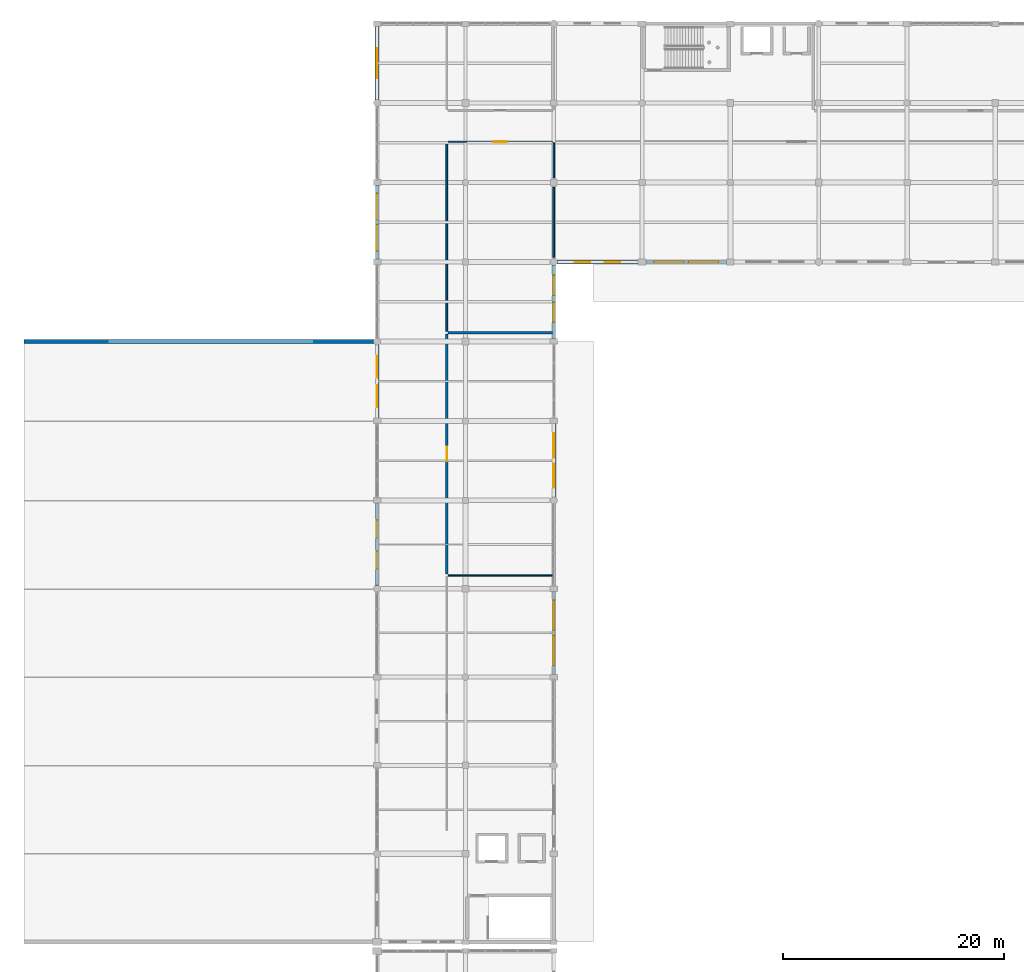
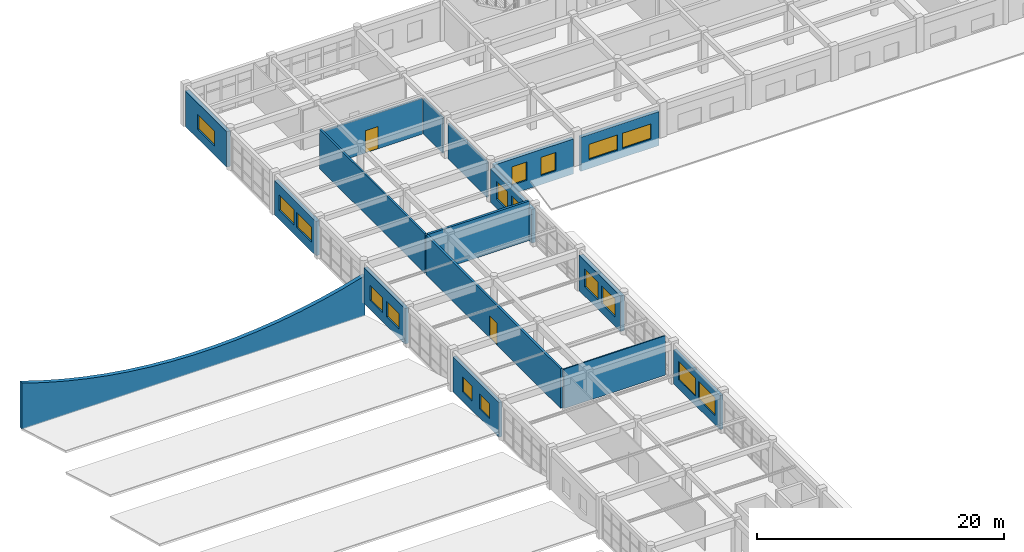
# One storey, part 106 of 121: 17 walls, 17 windows, 2 doors, 19 openings.
"""IFC4 building model written with IfcOpenShell, lengths in metres."""

from ifc_helpers import new_model, si_unit, direction, frame, frame_2d, origin, place, context, subcontext, project, spatial, polyline, rectangle, outline, extrude, material, layer, layer_set, type_object, element, fill, save


model = new_model("IFC4")

# Units and contexts
model_context = context("Model", 3, precision=1e-05, world=origin(), true_north=direction((0.0, 1.0)))
body_context = subcontext(model_context, "Body", "Model", "MODEL_VIEW")
ifc_project = project(units=[si_unit("LENGTHUNIT", "METRE"), si_unit("AREAUNIT", "SQUARE_METRE"), si_unit("VOLUMEUNIT", "CUBIC_METRE"), si_unit("PLANEANGLEUNIT", "RADIAN"), si_unit("MASSUNIT", "GRAM", prefix="KILO")], contexts=[model_context])

# Site, building, storey
site_placement = place(None, origin())
site = spatial("IfcSite", under=ifc_project, at=site_placement, CompositionType="ELEMENT")
building_placement = place(site_placement, origin())
building = spatial("IfcBuilding", under=site, at=building_placement, Name="Kharva Crest Polytechnic", CompositionType="ELEMENT")
storey_placement = place(building_placement, frame((0.0, 0.0, 13.199951171875)))
storey = spatial("IfcBuildingStorey", under=building, at=storey_placement, Name="L03", CompositionType="ELEMENT", Elevation=13.199951171875)

# Wall, openings, windows
ifc_material_1 = material(Name="Kiln brick masonry", Category="masonry")
ifc_layer_1 = layer(ifc_material_1, 0.260009765625, Name="Kiln brick masonry")
ifc_layer_set_1 = layer_set([ifc_layer_1], Name="Kiln brick masonry")
wall_type_1 = type_object("IfcWallType", Name="WL-EXT-BRK-260", PredefinedType="SOLIDWALL", material=ifc_layer_set_1)
wall_1_placement = place(storey_placement, frame((48.0, 63.044921875, 0.0), z_axis=(0.0, 0.0, 1.0), x_axis=(0.0, 1.0, 0.0)))
wall_1 = element("IfcWall", 1, at=wall_1_placement, inside=storey, type_object=wall_type_1, Name="L03 Exterior Brick Wall 365", PredefinedType="SOLIDWALL", context=body_context, shape_type="SweptSolid", body=[
    extrude(rectangle(XDim=7.510009765625, YDim=0.260009765625, at=frame_2d((3.7548828125, 0.0))), origin(), (0.0, 0.0, 1.0), 3.380126953125),
])
opening_1_placement = place(wall_1_placement, frame((0.81005859375, 0.0, 0.89990234375)))
opening_1 = element("IfcOpeningElement", 2, at=opening_1_placement, cuts=wall_1, Name="Opening W01", PredefinedType="OPENING", context=body_context, shape_type="SweptSolid", body=[
    extrude(rectangle(XDim=2.699951171875, YDim=1.800048828125, at=frame_2d((1.35009765625, 0.89990234375))), frame((0.0, 0.139892578125, 0.0), z_axis=(0.0, -1.0, 0.0), x_axis=(1.0, 0.0, 0.0)), (0.0, 0.0, 1.0), 0.280029296875),
])
opening_2_placement = place(wall_1_placement, frame((4.0, 0.0, 0.89990234375)))
opening_2 = element("IfcOpeningElement", 3, at=opening_2_placement, cuts=wall_1, Name="Opening W01", PredefinedType="OPENING", context=body_context, shape_type="SweptSolid", body=[
    extrude(rectangle(XDim=2.699951171875, YDim=1.800048828125, at=frame_2d((1.35009765625, 0.89990234375))), frame((0.0, 0.139892578125, 0.0), z_axis=(0.0, -1.0, 0.0), x_axis=(1.0, 0.0, 0.0)), (0.0, 0.0, 1.0), 0.280029296875),
])
ifc_material_2 = material(Name="Anodised aluminium", Category="aluminium")
window_type_1 = type_object("IfcWindowType", Name="WIN-ALU-2700X1800", PartitioningType="SINGLE_PANEL", PredefinedType="WINDOW", material=ifc_material_2)
window_1_placement = place(opening_1_placement, origin())
window_1 = element("IfcWindow", 4, at=window_1_placement, inside=storey, type_object=window_type_1, Name="L03 Exterior Window 501", OverallHeight=1.800048828125, OverallWidth=2.699951171875, PartitioningType="SINGLE_PANEL", PredefinedType="WINDOW", context=body_context, shape_type="SweptSolid", body=[
    extrude(rectangle(XDim=2.699951171875, YDim=1.800048828125, at=frame_2d((1.35009765625, 0.89990234375))), frame((0.0, 0.030029296875, 0.0), z_axis=(0.0, -1.0, 0.0), x_axis=(1.0, 0.0, 0.0)), (0.0, 0.0, 1.0), 0.06005859375),
])
fill(opening_1, window_1)
window_2_placement = place(opening_2_placement, origin())
window_2 = element("IfcWindow", 5, at=window_2_placement, inside=storey, type_object=window_type_1, Name="L03 Exterior Window 502", OverallHeight=1.800048828125, OverallWidth=2.699951171875, PartitioningType="SINGLE_PANEL", PredefinedType="WINDOW", context=body_context, shape_type="SweptSolid", body=[
    extrude(rectangle(XDim=2.699951171875, YDim=1.800048828125, at=frame_2d((1.35009765625, 0.89990234375))), frame((0.0, 0.030029296875, 0.0), z_axis=(0.0, -1.0, 0.0), x_axis=(1.0, 0.0, 0.0)), (0.0, 0.0, 1.0), 0.06005859375),
])
fill(opening_2, window_2)

ifc_layer_2 = layer(ifc_material_1, 0.27490234375, Name="Kiln brick masonry")
ifc_layer_set_2 = layer_set([ifc_layer_2], Name="Kiln brick masonry")
wall_type_2 = type_object("IfcWallType", Name="WL-EXT-BRK-275", PredefinedType="SOLIDWALL", material=ifc_layer_set_2)
wall_2_placement = place(storey_placement, frame((32.0, 78.554931640625, 0.0), z_axis=(0.0, 0.0, 1.0), x_axis=(0.0, -1.0, 0.0)))
wall_2 = element("IfcWall", 6, at=wall_2_placement, inside=storey, type_object=wall_type_2, Name="L03 Exterior Brick Wall 358", PredefinedType="SOLIDWALL", context=body_context, shape_type="SweptSolid", body=[
    extrude(rectangle(XDim=7.486083984375, YDim=0.27490234375, at=frame_2d((3.7431640625, 0.0))), origin(), (0.0, 0.0, 1.0), 3.43994140625),
])
opening_3_placement = place(wall_2_placement, frame((1.534912109375, 0.0, 0.89990234375)))
opening_3 = element("IfcOpeningElement", 7, at=opening_3_placement, cuts=wall_2, Name="Opening W14", PredefinedType="OPENING", context=body_context, shape_type="SweptSolid", body=[
    extrude(rectangle(XDim=1.60009765625, YDim=1.5, at=frame_2d((0.800048828125, 0.75))), frame((0.0, 0.1474609375, 0.0), z_axis=(0.0, -1.0, 0.0), x_axis=(1.0, 0.0, 0.0)), (0.0, 0.0, 1.0), 0.294921875),
])
opening_4_placement = place(wall_2_placement, frame((4.35107421875, 0.0, 0.89990234375)))
opening_4 = element("IfcOpeningElement", 8, at=opening_4_placement, cuts=wall_2, Name="Opening W14", PredefinedType="OPENING", context=body_context, shape_type="SweptSolid", body=[
    extrude(rectangle(XDim=1.60009765625, YDim=1.5, at=frame_2d((0.800048828125, 0.75))), frame((0.0, 0.1474609375, 0.0), z_axis=(0.0, -1.0, 0.0), x_axis=(1.0, 0.0, 0.0)), (0.0, 0.0, 1.0), 0.294921875),
])
window_type_2 = type_object("IfcWindowType", Name="WIN-ALU-1600X1500", PartitioningType="SINGLE_PANEL", PredefinedType="WINDOW", material=ifc_material_2)
window_3_placement = place(opening_3_placement, origin())
window_3 = element("IfcWindow", 9, at=window_3_placement, inside=storey, type_object=window_type_2, Name="L03 Exterior Window 490", OverallHeight=1.5, OverallWidth=1.60009765625, PartitioningType="SINGLE_PANEL", PredefinedType="WINDOW", context=body_context, shape_type="SweptSolid", body=[
    extrude(rectangle(XDim=1.60009765625, YDim=1.5, at=frame_2d((0.800048828125, 0.75))), frame((0.0, 0.030029296875, 0.0), z_axis=(0.0, -1.0, 0.0), x_axis=(1.0, 0.0, 0.0)), (0.0, 0.0, 1.0), 0.06005859375),
])
fill(opening_3, window_3)
window_4_placement = place(opening_4_placement, origin())
window_4 = element("IfcWindow", 10, at=window_4_placement, inside=storey, type_object=window_type_2, Name="L03 Exterior Window 491", OverallHeight=1.5, OverallWidth=1.60009765625, PartitioningType="SINGLE_PANEL", PredefinedType="WINDOW", context=body_context, shape_type="SweptSolid", body=[
    extrude(rectangle(XDim=1.60009765625, YDim=1.5, at=frame_2d((0.800048828125, 0.75))), frame((0.0, 0.030029296875, 0.0), z_axis=(0.0, -1.0, 0.0), x_axis=(1.0, 0.0, 0.0)), (0.0, 0.0, 1.0), 0.06005859375),
])
fill(opening_4, window_4)

ifc_layer_3 = layer(ifc_material_1, 0.304931640625, Name="Kiln brick masonry")
ifc_layer_set_3 = layer_set([ifc_layer_3], Name="Kiln brick masonry")
wall_type_3 = type_object("IfcWallType", Name="WL-EXT-BRK-305", PredefinedType="SOLIDWALL", material=ifc_layer_set_3)
wall_3_placement = place(storey_placement, frame((32.0, 92.93115234375, 0.0), z_axis=(0.0, 0.0, 1.0), x_axis=(0.0, -1.0, 0.0)))
wall_3 = element("IfcWall", 11, at=wall_3_placement, inside=storey, type_object=wall_type_3, Name="L03 Exterior Brick Wall 357", PredefinedType="SOLIDWALL", context=body_context, shape_type="SweptSolid", body=[
    extrude(rectangle(XDim=6.68603515625, YDim=0.304931640625, at=frame_2d((3.343017578125, 0.0))), origin(), (0.0, 0.0, 1.0), 3.52001953125),
])
opening_5_placement = place(wall_3_placement, frame((1.001953125, 0.0, 0.89990234375)))
opening_5 = element("IfcOpeningElement", 12, at=opening_5_placement, cuts=wall_3, Name="Opening W12", PredefinedType="OPENING", context=body_context, shape_type="SweptSolid", body=[
    extrude(rectangle(XDim=2.0, YDim=1.5, at=frame_2d((1.0, 0.75))), frame((0.0, 0.162353515625, 0.0), z_axis=(0.0, -1.0, 0.0), x_axis=(1.0, 0.0, 0.0)), (0.0, 0.0, 1.0), 0.324951171875),
])
opening_6_placement = place(wall_3_placement, frame((3.68408203125, 0.0, 0.89990234375)))
opening_6 = element("IfcOpeningElement", 13, at=opening_6_placement, cuts=wall_3, Name="Opening W12", PredefinedType="OPENING", context=body_context, shape_type="SweptSolid", body=[
    extrude(rectangle(XDim=2.0, YDim=1.5, at=frame_2d((1.0, 0.75))), frame((0.0, 0.162353515625, 0.0), z_axis=(0.0, -1.0, 0.0), x_axis=(1.0, 0.0, 0.0)), (0.0, 0.0, 1.0), 0.324951171875),
])
window_type_3 = type_object("IfcWindowType", Name="WIN-ALU-2000X1500", PartitioningType="SINGLE_PANEL", PredefinedType="WINDOW", material=ifc_material_2)
window_5_placement = place(opening_5_placement, origin())
window_5 = element("IfcWindow", 14, at=window_5_placement, inside=storey, type_object=window_type_3, Name="L03 Exterior Window 488", OverallHeight=1.5, OverallWidth=2.0, PartitioningType="SINGLE_PANEL", PredefinedType="WINDOW", context=body_context, shape_type="SweptSolid", body=[
    extrude(rectangle(XDim=2.0, YDim=1.5, at=frame_2d((1.0, 0.75))), frame((0.0, 0.030029296875, 0.0), z_axis=(0.0, -1.0, 0.0), x_axis=(1.0, 0.0, 0.0)), (0.0, 0.0, 1.0), 0.06005859375),
])
fill(opening_5, window_5)
window_6_placement = place(opening_6_placement, origin())
window_6 = element("IfcWindow", 15, at=window_6_placement, inside=storey, type_object=window_type_3, Name="L03 Exterior Window 489", OverallHeight=1.5, OverallWidth=2.0, PartitioningType="SINGLE_PANEL", PredefinedType="WINDOW", context=body_context, shape_type="SweptSolid", body=[
    extrude(rectangle(XDim=2.0, YDim=1.5, at=frame_2d((1.0, 0.75))), frame((0.0, 0.030029296875, 0.0), z_axis=(0.0, -1.0, 0.0), x_axis=(1.0, 0.0, 0.0)), (0.0, 0.0, 1.0), 0.06005859375),
])
fill(opening_6, window_6)

wall_4_placement = place(storey_placement, frame((56.344970703125, 100.39990234375, 0.0), z_axis=(0.0, 0.0, 1.0), x_axis=(1.0, 0.0, 0.0)))
wall_4 = element("IfcWall", 16, at=wall_4_placement, inside=storey, type_object=wall_type_3, Name="L03 Exterior Brick Wall 369", PredefinedType="SOLIDWALL", context=body_context, shape_type="SweptSolid", body=[
    extrude(rectangle(XDim=7.320068359375, YDim=0.304931640625, at=frame_2d((3.66015625, 0.0))), origin(), (0.0, 0.0, 1.0), 3.360107421875),
])
opening_7_placement = place(wall_4_placement, frame((0.7470703125, 0.0, 0.89990234375)))
opening_7 = element("IfcOpeningElement", 17, at=opening_7_placement, cuts=wall_4, Name="Opening W09", PredefinedType="OPENING", context=body_context, shape_type="SweptSolid", body=[
    extrude(rectangle(XDim=2.699951171875, YDim=1.5, at=frame_2d((1.35009765625, 0.75))), frame((0.0, 0.162353515625, 0.0), z_axis=(0.0, -1.0, 0.0), x_axis=(1.0, 0.0, 0.0)), (0.0, 0.0, 1.0), 0.324951171875),
])
opening_8_placement = place(wall_4_placement, frame((3.873046875, 0.0, 0.89990234375)))
opening_8 = element("IfcOpeningElement", 18, at=opening_8_placement, cuts=wall_4, Name="Opening W09", PredefinedType="OPENING", context=body_context, shape_type="SweptSolid", body=[
    extrude(rectangle(XDim=2.699951171875, YDim=1.5, at=frame_2d((1.35009765625, 0.75))), frame((0.0, 0.162353515625, 0.0), z_axis=(0.0, -1.0, 0.0), x_axis=(1.0, 0.0, 0.0)), (0.0, 0.0, 1.0), 0.324951171875),
])
window_type_4 = type_object("IfcWindowType", Name="WIN-ALU-2700X1500", PartitioningType="SINGLE_PANEL", PredefinedType="WINDOW", material=ifc_material_2)
window_7_placement = place(opening_7_placement, origin())
window_7 = element("IfcWindow", 19, at=window_7_placement, inside=storey, type_object=window_type_4, Name="L03 Exterior Window 509", OverallHeight=1.5, OverallWidth=2.699951171875, PartitioningType="SINGLE_PANEL", PredefinedType="WINDOW", context=body_context, shape_type="SweptSolid", body=[
    extrude(rectangle(XDim=2.699951171875, YDim=1.5, at=frame_2d((1.35009765625, 0.75))), frame((0.0, 0.030029296875, 0.0), z_axis=(0.0, -1.0, 0.0), x_axis=(1.0, 0.0, 0.0)), (0.0, 0.0, 1.0), 0.06005859375),
])
fill(opening_7, window_7)
window_8_placement = place(opening_8_placement, origin())
window_8 = element("IfcWindow", 20, at=window_8_placement, inside=storey, type_object=window_type_4, Name="L03 Exterior Window 510", OverallHeight=1.5, OverallWidth=2.699951171875, PartitioningType="SINGLE_PANEL", PredefinedType="WINDOW", context=body_context, shape_type="SweptSolid", body=[
    extrude(rectangle(XDim=2.699951171875, YDim=1.5, at=frame_2d((1.35009765625, 0.75))), frame((0.0, 0.030029296875, 0.0), z_axis=(0.0, -1.0, 0.0), x_axis=(1.0, 0.0, 0.0)), (0.0, 0.0, 1.0), 0.06005859375),
])
fill(opening_8, window_8)

ifc_layer_4 = layer(ifc_material_1, 0.320068359375, Name="Kiln brick masonry")
ifc_layer_set_4 = layer_set([ifc_layer_4], Name="Kiln brick masonry")
wall_type_4 = type_object("IfcWallType", Name="WL-EXT-BRK-320", PredefinedType="SOLIDWALL", material=ifc_layer_set_4)
wall_5_placement = place(storey_placement, frame((48.268798828125, 100.39990234375, 0.0), z_axis=(0.0, 0.0, 1.0), x_axis=(1.0, 0.0, 0.0)))
wall_5 = element("IfcWall", 21, at=wall_5_placement, inside=storey, type_object=wall_type_4, Name="L03 Exterior Brick Wall 368", PredefinedType="SOLIDWALL", context=body_context, shape_type="SweptSolid", body=[
    extrude(rectangle(XDim=7.38623046875, YDim=0.320068359375, at=frame_2d((3.693115234375, 0.0))), origin(), (0.0, 0.0, 1.0), 3.4599609375),
])
opening_9_placement = place(wall_5_placement, frame((1.635009765625, 0.0, 0.89990234375)))
opening_9 = element("IfcOpeningElement", 22, at=opening_9_placement, cuts=wall_5, Name="Opening W07", PredefinedType="OPENING", context=body_context, shape_type="SweptSolid", body=[
    extrude(rectangle(XDim=1.39990234375, YDim=1.800048828125, at=frame_2d((0.699951171875, 0.89990234375))), frame((0.0, 0.169921875, 0.0), z_axis=(0.0, -1.0, 0.0), x_axis=(1.0, 0.0, 0.0)), (0.0, 0.0, 1.0), 0.340087890625),
])
opening_10_placement = place(wall_5_placement, frame((4.35107421875, 0.0, 0.89990234375)))
opening_10 = element("IfcOpeningElement", 23, at=opening_10_placement, cuts=wall_5, Name="Opening W07", PredefinedType="OPENING", context=body_context, shape_type="SweptSolid", body=[
    extrude(rectangle(XDim=1.39990234375, YDim=1.800048828125, at=frame_2d((0.699951171875, 0.89990234375))), frame((0.0, 0.169921875, 0.0), z_axis=(0.0, -1.0, 0.0), x_axis=(1.0, 0.0, 0.0)), (0.0, 0.0, 1.0), 0.340087890625),
])
window_type_5 = type_object("IfcWindowType", Name="WIN-ALU-1400X1800", PartitioningType="SINGLE_PANEL", PredefinedType="WINDOW", material=ifc_material_2)
window_9_placement = place(opening_9_placement, origin())
window_9 = element("IfcWindow", 24, at=window_9_placement, inside=storey, type_object=window_type_5, Name="L03 Exterior Window 507", OverallHeight=1.800048828125, OverallWidth=1.39990234375, PartitioningType="SINGLE_PANEL", PredefinedType="WINDOW", context=body_context, shape_type="SweptSolid", body=[
    extrude(rectangle(XDim=1.39990234375, YDim=1.800048828125, at=frame_2d((0.699951171875, 0.89990234375))), frame((0.0, 0.030029296875, 0.0), z_axis=(0.0, -1.0, 0.0), x_axis=(1.0, 0.0, 0.0)), (0.0, 0.0, 1.0), 0.06005859375),
])
fill(opening_9, window_9)
window_10_placement = place(opening_10_placement, origin())
window_10 = element("IfcWindow", 25, at=window_10_placement, inside=storey, type_object=window_type_5, Name="L03 Exterior Window 508", OverallHeight=1.800048828125, OverallWidth=1.39990234375, PartitioningType="SINGLE_PANEL", PredefinedType="WINDOW", context=body_context, shape_type="SweptSolid", body=[
    extrude(rectangle(XDim=1.39990234375, YDim=1.800048828125, at=frame_2d((0.699951171875, 0.89990234375))), frame((0.0, 0.030029296875, 0.0), z_axis=(0.0, -1.0, 0.0), x_axis=(1.0, 0.0, 0.0)), (0.0, 0.0, 1.0), 0.06005859375),
])
fill(opening_10, window_10)

ifc_layer_5 = layer(ifc_material_1, 0.3349609375, Name="Kiln brick masonry")
ifc_layer_set_5 = layer_set([ifc_layer_5], Name="Kiln brick masonry")
wall_type_5 = type_object("IfcWallType", Name="WL-EXT-BRK-335", PredefinedType="SOLIDWALL", material=ifc_layer_set_5)
wall_6_placement = place(storey_placement, frame((32.0, 107.35498046875, 0.0), z_axis=(0.0, 0.0, 1.0), x_axis=(0.0, -1.0, 0.0)))
wall_6 = element("IfcWall", 26, at=wall_6_placement, inside=storey, type_object=wall_type_5, Name="L03 Exterior Brick Wall 356", PredefinedType="SOLIDWALL", context=body_context, shape_type="SweptSolid", body=[
    extrude(rectangle(XDim=6.7099609375, YDim=0.3349609375, at=frame_2d((3.35498046875, 0.0))), origin(), (0.0, 0.0, 1.0), 3.380126953125),
])
opening_11_placement = place(wall_6_placement, frame((0.742919921875, 0.0, 0.89990234375)))
opening_11 = element("IfcOpeningElement", 27, at=opening_11_placement, cuts=wall_6, Name="Opening W10", PredefinedType="OPENING", context=body_context, shape_type="SweptSolid", body=[
    extrude(rectangle(XDim=2.39990234375, YDim=1.5, at=frame_2d((1.199951171875, 0.75))), frame((0.0, 0.177490234375, 0.0), z_axis=(0.0, -1.0, 0.0), x_axis=(1.0, 0.0, 0.0)), (0.0, 0.0, 1.0), 0.35498046875),
])
opening_12_placement = place(wall_6_placement, frame((3.56689453125, 0.0, 0.89990234375)))
opening_12 = element("IfcOpeningElement", 28, at=opening_12_placement, cuts=wall_6, Name="Opening W10", PredefinedType="OPENING", context=body_context, shape_type="SweptSolid", body=[
    extrude(rectangle(XDim=2.39990234375, YDim=1.5, at=frame_2d((1.199951171875, 0.75))), frame((0.0, 0.177490234375, 0.0), z_axis=(0.0, -1.0, 0.0), x_axis=(1.0, 0.0, 0.0)), (0.0, 0.0, 1.0), 0.35498046875),
])
window_type_6 = type_object("IfcWindowType", Name="WIN-ALU-2400X1500", PartitioningType="SINGLE_PANEL", PredefinedType="WINDOW", material=ifc_material_2)
window_11_placement = place(opening_11_placement, origin())
window_11 = element("IfcWindow", 29, at=window_11_placement, inside=storey, type_object=window_type_6, Name="L03 Exterior Window 486", OverallHeight=1.5, OverallWidth=2.39990234375, PartitioningType="SINGLE_PANEL", PredefinedType="WINDOW", context=body_context, shape_type="SweptSolid", body=[
    extrude(rectangle(XDim=2.39990234375, YDim=1.5, at=frame_2d((1.199951171875, 0.75))), frame((0.0, 0.030029296875, 0.0), z_axis=(0.0, -1.0, 0.0), x_axis=(1.0, 0.0, 0.0)), (0.0, 0.0, 1.0), 0.06005859375),
])
fill(opening_11, window_11)
window_12_placement = place(opening_12_placement, origin())
window_12 = element("IfcWindow", 30, at=window_12_placement, inside=storey, type_object=window_type_6, Name="L03 Exterior Window 487", OverallHeight=1.5, OverallWidth=2.39990234375, PartitioningType="SINGLE_PANEL", PredefinedType="WINDOW", context=body_context, shape_type="SweptSolid", body=[
    extrude(rectangle(XDim=2.39990234375, YDim=1.5, at=frame_2d((1.199951171875, 0.75))), frame((0.0, 0.030029296875, 0.0), z_axis=(0.0, -1.0, 0.0), x_axis=(1.0, 0.0, 0.0)), (0.0, 0.0, 1.0), 0.06005859375),
])
fill(opening_12, window_12)

wall_7_placement = place(storey_placement, frame((48.0, 93.445068359375, 0.0), z_axis=(0.0, 0.0, 1.0), x_axis=(0.0, 1.0, 0.0)))
wall_7 = element("IfcWall", 31, at=wall_7_placement, inside=storey, type_object=wall_type_5, Name="L03 Exterior Brick Wall 367", PredefinedType="SOLIDWALL", context=body_context, shape_type="SweptSolid", body=[
    extrude(rectangle(XDim=6.68603515625, YDim=0.3349609375, at=frame_2d((3.343017578125, 0.0))), origin(), (0.0, 0.0, 1.0), 3.340087890625),
])
opening_13_placement = place(wall_7_placement, frame((1.5048828125, 0.0, 0.89990234375)))
opening_13 = element("IfcOpeningElement", 32, at=opening_13_placement, cuts=wall_7, Name="Opening W05", PredefinedType="OPENING", context=body_context, shape_type="SweptSolid", body=[
    extrude(rectangle(XDim=1.800048828125, YDim=1.800048828125, at=frame_2d((0.89990234375, 0.89990234375))), frame((0.0, 0.177490234375, 0.0), z_axis=(0.0, -1.0, 0.0), x_axis=(1.0, 0.0, 0.0)), (0.0, 0.0, 1.0), 0.35498046875),
])
opening_14_placement = place(wall_7_placement, frame((3.93603515625, 0.0, 0.89990234375)))
opening_14 = element("IfcOpeningElement", 33, at=opening_14_placement, cuts=wall_7, Name="Opening W05", PredefinedType="OPENING", context=body_context, shape_type="SweptSolid", body=[
    extrude(rectangle(XDim=1.800048828125, YDim=1.800048828125, at=frame_2d((0.89990234375, 0.89990234375))), frame((0.0, 0.177490234375, 0.0), z_axis=(0.0, -1.0, 0.0), x_axis=(1.0, 0.0, 0.0)), (0.0, 0.0, 1.0), 0.35498046875),
])
window_type_7 = type_object("IfcWindowType", Name="WIN-ALU-1800X1800", PartitioningType="SINGLE_PANEL", PredefinedType="WINDOW", material=ifc_material_2)
window_13_placement = place(opening_13_placement, origin())
window_13 = element("IfcWindow", 34, at=window_13_placement, inside=storey, type_object=window_type_7, Name="L03 Exterior Window 505", OverallHeight=1.800048828125, OverallWidth=1.800048828125, PartitioningType="SINGLE_PANEL", PredefinedType="WINDOW", context=body_context, shape_type="SweptSolid", body=[
    extrude(rectangle(XDim=1.800048828125, YDim=1.800048828125, at=frame_2d((0.89990234375, 0.89990234375))), frame((0.0, 0.030029296875, 0.0), z_axis=(0.0, -1.0, 0.0), x_axis=(1.0, 0.0, 0.0)), (0.0, 0.0, 1.0), 0.06005859375),
])
fill(opening_13, window_13)
window_14_placement = place(opening_14_placement, origin())
window_14 = element("IfcWindow", 35, at=window_14_placement, inside=storey, type_object=window_type_7, Name="L03 Exterior Window 506", OverallHeight=1.800048828125, OverallWidth=1.800048828125, PartitioningType="SINGLE_PANEL", PredefinedType="WINDOW", context=body_context, shape_type="SweptSolid", body=[
    extrude(rectangle(XDim=1.800048828125, YDim=1.800048828125, at=frame_2d((0.89990234375, 0.89990234375))), frame((0.0, 0.030029296875, 0.0), z_axis=(0.0, -1.0, 0.0), x_axis=(1.0, 0.0, 0.0)), (0.0, 0.0, 1.0), 0.06005859375),
])
fill(opening_14, window_14)

# Wall, opening, window
ifc_layer_6 = layer(ifc_material_1, 0.364990234375, Name="Kiln brick masonry")
ifc_layer_set_6 = layer_set([ifc_layer_6], Name="Kiln brick masonry")
wall_type_6 = type_object("IfcWallType", Name="WL-EXT-BRK-365", PredefinedType="SOLIDWALL", material=ifc_layer_set_6)
wall_8_placement = place(storey_placement, frame((32.0, 121.7548828125, 0.0), z_axis=(0.0, 0.0, 1.0), x_axis=(0.0, -1.0, 0.0)))
wall_8 = element("IfcWall", 36, at=wall_8_placement, inside=storey, type_object=wall_type_6, Name="L03 Exterior Brick Wall 355", PredefinedType="SOLIDWALL", context=body_context, shape_type="SweptSolid", body=[
    extrude(rectangle(XDim=6.68603515625, YDim=0.364990234375, at=frame_2d((3.343017578125, 0.0))), origin(), (0.0, 0.0, 1.0), 3.5),
])
opening_15_placement = place(wall_8_placement, frame((1.992919921875, 0.0, 0.89990234375)))
opening_15 = element("IfcOpeningElement", 37, at=opening_15_placement, cuts=wall_8, Name="Opening W09", PredefinedType="OPENING", context=body_context, shape_type="SweptSolid", body=[
    extrude(rectangle(XDim=2.699951171875, YDim=1.5, at=frame_2d((1.35009765625, 0.75))), frame((0.0, 0.1923828125, 0.0), z_axis=(0.0, -1.0, 0.0), x_axis=(1.0, 0.0, 0.0)), (0.0, 0.0, 1.0), 0.385009765625),
])
window_15_placement = place(opening_15_placement, origin())
window_15 = element("IfcWindow", 38, at=window_15_placement, inside=storey, type_object=window_type_4, Name="L03 Exterior Window 485", OverallHeight=1.5, OverallWidth=2.699951171875, PartitioningType="SINGLE_PANEL", PredefinedType="WINDOW", context=body_context, shape_type="SweptSolid", body=[
    extrude(rectangle(XDim=2.699951171875, YDim=1.5, at=frame_2d((1.35009765625, 0.75))), frame((0.0, 0.030029296875, 0.0), z_axis=(0.0, -1.0, 0.0), x_axis=(1.0, 0.0, 0.0)), (0.0, 0.0, 1.0), 0.06005859375),
])
fill(opening_15, window_15)

# Wall, openings, windows
wall_9_placement = place(storey_placement, frame((48.0, 79.06884765625, 0.0), z_axis=(0.0, 0.0, 1.0), x_axis=(0.0, 1.0, 0.0)))
wall_9 = element("IfcWall", 39, at=wall_9_placement, inside=storey, type_object=wall_type_6, Name="L03 Exterior Brick Wall 366", PredefinedType="SOLIDWALL", context=body_context, shape_type="SweptSolid", body=[
    extrude(rectangle(XDim=6.68603515625, YDim=0.364990234375, at=frame_2d((3.343017578125, 0.0))), origin(), (0.0, 0.0, 1.0), 3.5),
])
opening_16_placement = place(wall_9_placement, frame((0.868896484375, 0.0, 0.89990234375)))
opening_16 = element("IfcOpeningElement", 40, at=opening_16_placement, cuts=wall_9, Name="Opening W03", PredefinedType="OPENING", context=body_context, shape_type="SweptSolid", body=[
    extrude(rectangle(XDim=2.199951171875, YDim=1.800048828125, at=frame_2d((1.10009765625, 0.89990234375))), frame((0.0, 0.1923828125, 0.0), z_axis=(0.0, -1.0, 0.0), x_axis=(1.0, 0.0, 0.0)), (0.0, 0.0, 1.0), 0.385009765625),
])
opening_17_placement = place(wall_9_placement, frame((3.616943359375, 0.0, 0.89990234375)))
opening_17 = element("IfcOpeningElement", 41, at=opening_17_placement, cuts=wall_9, Name="Opening W03", PredefinedType="OPENING", context=body_context, shape_type="SweptSolid", body=[
    extrude(rectangle(XDim=2.199951171875, YDim=1.800048828125, at=frame_2d((1.10009765625, 0.89990234375))), frame((0.0, 0.1923828125, 0.0), z_axis=(0.0, -1.0, 0.0), x_axis=(1.0, 0.0, 0.0)), (0.0, 0.0, 1.0), 0.385009765625),
])
window_type_8 = type_object("IfcWindowType", Name="WIN-ALU-2200X1800", PartitioningType="SINGLE_PANEL", PredefinedType="WINDOW", material=ifc_material_2)
window_16_placement = place(opening_16_placement, origin())
window_16 = element("IfcWindow", 42, at=window_16_placement, inside=storey, type_object=window_type_8, Name="L03 Exterior Window 503", OverallHeight=1.800048828125, OverallWidth=2.199951171875, PartitioningType="SINGLE_PANEL", PredefinedType="WINDOW", context=body_context, shape_type="SweptSolid", body=[
    extrude(rectangle(XDim=2.199951171875, YDim=1.800048828125, at=frame_2d((1.10009765625, 0.89990234375))), frame((0.0, 0.030029296875, 0.0), z_axis=(0.0, -1.0, 0.0), x_axis=(1.0, 0.0, 0.0)), (0.0, 0.0, 1.0), 0.06005859375),
])
fill(opening_16, window_16)
window_17_placement = place(opening_17_placement, origin())
window_17 = element("IfcWindow", 43, at=window_17_placement, inside=storey, type_object=window_type_8, Name="L03 Exterior Window 504", OverallHeight=1.800048828125, OverallWidth=2.199951171875, PartitioningType="SINGLE_PANEL", PredefinedType="WINDOW", context=body_context, shape_type="SweptSolid", body=[
    extrude(rectangle(XDim=2.199951171875, YDim=1.800048828125, at=frame_2d((1.10009765625, 0.89990234375))), frame((0.0, 0.030029296875, 0.0), z_axis=(0.0, -1.0, 0.0), x_axis=(1.0, 0.0, 0.0)), (0.0, 0.0, 1.0), 0.06005859375),
])
fill(opening_17, window_17)

# Wall, opening, door
ifc_layer_7 = layer(ifc_material_1, 0.199951171875, Name="Kiln brick masonry")
ifc_layer_set_7 = layer_set([ifc_layer_7], Name="Kiln brick masonry")
wall_type_7 = type_object("IfcWallType", Name="WL-FIRE-FW1-200", PredefinedType="SOLIDWALL", material=ifc_layer_set_7)
wall_10_placement = place(storey_placement, frame((38.31005859375, 72.1201171875, 0.0), z_axis=(0.0, 0.0, 1.0), x_axis=(0.0, 1.0, 0.0)))
wall_10 = element("IfcWall", 44, at=wall_10_placement, inside=storey, type_object=wall_type_7, Name="L03 Interior Partition 270", PredefinedType="SOLIDWALL", context=body_context, shape_type="SweptSolid", body=[
    extrude(rectangle(XDim=21.769775390625, YDim=0.199951171875, at=frame_2d((10.884765625, 0.0))), origin(), (0.0, 0.0, 1.0), 3.900146484375),
])
opening_18_placement = place(wall_10_placement, frame((10.2451171875, 0.0, 0.0)))
opening_18 = element("IfcOpeningElement", 45, at=opening_18_placement, cuts=wall_10, Name="Opening ID7", PredefinedType="OPENING", context=body_context, shape_type="SweptSolid", body=[
    extrude(rectangle(XDim=1.280029296875, YDim=2.199951171875, at=frame_2d((0.64013671875, 1.10009765625))), frame((0.0, 0.10986328125, 0.0), z_axis=(0.0, -1.0, 0.0), x_axis=(1.0, 0.0, 0.0)), (0.0, 0.0, 1.0), 0.219970703125),
])
ifc_material_3 = material(Name="Teak timber", Category="wood")
door_type_1 = type_object("IfcDoorType", Name="DR-LAB-1280X2200", OperationType="NOTDEFINED", PredefinedType="DOOR", material=ifc_material_3)
door_1_placement = place(opening_18_placement, origin())
door_1 = element("IfcDoor", 46, at=door_1_placement, inside=storey, type_object=door_type_1, Name="L03 Embedded Systems Laboratory Door", OperationType="SINGLE_SWING_LEFT", OverallHeight=2.199951171875, OverallWidth=1.280029296875, PredefinedType="DOOR", context=body_context, shape_type="SweptSolid", body=[
    extrude(rectangle(XDim=1.280029296875, YDim=2.199951171875, at=frame_2d((0.64013671875, 1.10009765625))), frame((0.0, 0.02490234375, 0.0), z_axis=(0.0, -1.0, 0.0), x_axis=(1.0, 0.0, 0.0)), (0.0, 0.0, 1.0), 0.050048828125),
])
fill(opening_18, door_1)

# Walls
ifc_layer_8 = layer(ifc_material_1, 0.360107421875, Name="Kiln brick masonry")
ifc_layer_set_8 = layer_set([ifc_layer_8], Name="Kiln brick masonry")
wall_type_8 = type_object("IfcWallType", Name="WL-PAR-CREST-360", PredefinedType="PARAPET", material=ifc_layer_set_8)
wall_11_placement = place(storey_placement, frame((0.0, 93.199951171875, -1.349853515625), z_axis=(0.0, 0.0, 1.0), x_axis=(1.0, 0.0, 0.0)))
element("IfcWall", 47, at=wall_11_placement, inside=storey, type_object=wall_type_8, Name="L03 Bowed Brick Gable Crest 7", PredefinedType="PARAPET", context=body_context, shape_type="SweptSolid", body=[
    extrude(outline(polyline([(0.0, 0.0), (32.0, 0.0), (32.0, 3.949951171875), (30.0, 3.387451171875), (28.0, 2.91015625), (26.0, 2.51513671875), (24.0, 2.20068359375), (22.0, 1.965576171875), (20.0, 1.808349609375), (18.0, 1.728515625), (16.0, 1.725830078125), (14.0, 1.800048828125), (12.0, 1.95166015625), (10.0, 2.18115234375), (8.0, 2.48974609375), (6.0, 2.878662109375), (4.0, 3.35009765625), (2.0, 3.90625), (0.0, 4.5498046875), (0.0, 0.0)])), frame((0.0, 0.18017578125, 0.0), z_axis=(0.0, -1.0, 0.0), x_axis=(1.0, 0.0, 0.0)), (0.0, 0.0, 1.0), 0.360107421875),
])
ifc_layer_9 = layer(ifc_material_1, 0.110107421875, Name="Kiln brick masonry")
ifc_layer_set_9 = layer_set([ifc_layer_9], Name="Kiln brick masonry")
wall_type_9 = type_object("IfcWallType", Name="WL-PART-110", PredefinedType="PARTITIONING", material=ifc_layer_set_9)
wall_12_placement = place(storey_placement, frame((38.419921875, 72.0, 0.0), z_axis=(0.0, 0.0, 1.0), x_axis=(1.0, 0.0, 0.0)))
element("IfcWall", 48, at=wall_12_placement, inside=storey, type_object=wall_type_9, Name="L03 Interior Partition 267", PredefinedType="PARTITIONING", context=body_context, shape_type="SweptSolid", body=[
    extrude(rectangle(XDim=9.469970703125, YDim=0.110107421875, at=frame_2d((4.73486328125, 0.0))), origin(), (0.0, 0.0, 1.0), 3.900146484375),
])
ifc_layer_10 = layer(ifc_material_1, 0.139892578125, Name="Kiln brick masonry")
ifc_layer_set_10 = layer_set([ifc_layer_10], Name="Kiln brick masonry")
wall_type_10 = type_object("IfcWallType", Name="WL-PART-140", PredefinedType="PARTITIONING", material=ifc_layer_set_10)
wall_13_placement = place(storey_placement, frame((48.0, 108.030029296875, 0.0), z_axis=(0.0, 0.0, 1.0), x_axis=(0.0, 1.0, 0.0)))
element("IfcWall", 49, at=wall_13_placement, inside=storey, type_object=wall_type_10, Name="L03 Interior Partition 274", PredefinedType="PARTITIONING", context=body_context, shape_type="SweptSolid", body=[
    extrude(rectangle(XDim=3.14990234375, YDim=0.139892578125, at=frame_2d((1.574951171875, 0.0))), origin(), (0.0, 0.0, 1.0), 3.510009765625),
])
ifc_layer_11 = layer(ifc_material_1, 0.14990234375, Name="Kiln brick masonry")
ifc_layer_set_11 = layer_set([ifc_layer_11], Name="Kiln brick masonry")
wall_type_11 = type_object("IfcWallType", Name="WL-PART-150", PredefinedType="PARTITIONING", material=ifc_layer_set_11)
wall_14_placement = place(storey_placement, frame((48.0, 100.85009765625, 0.0), z_axis=(0.0, 0.0, 1.0), x_axis=(0.0, 1.0, 0.0)))
element("IfcWall", 50, at=wall_14_placement, inside=storey, type_object=wall_type_11, Name="L03 Interior Partition 273", PredefinedType="PARTITIONING", context=body_context, shape_type="SweptSolid", body=[
    extrude(rectangle(XDim=6.31982421875, YDim=0.14990234375, at=frame_2d((3.159912109375, 0.0))), origin(), (0.0, 0.0, 1.0), 3.47998046875),
])
ifc_layer_12 = layer(ifc_material_1, 0.159912109375, Name="Kiln brick masonry")
ifc_layer_set_12 = layer_set([ifc_layer_12], Name="Kiln brick masonry")
wall_type_12 = type_object("IfcWallType", Name="WL-PART-160", PredefinedType="PARTITIONING", material=ifc_layer_set_12)
wall_15_placement = place(storey_placement, frame((38.31005859375, 94.1201171875, 0.0), z_axis=(0.0, 0.0, 1.0), x_axis=(0.0, 1.0, 0.0)))
element("IfcWall", 51, at=wall_15_placement, inside=storey, type_object=wall_type_12, Name="L03 Interior Partition 272", PredefinedType="PARTITIONING", context=body_context, shape_type="SweptSolid", body=[
    extrude(rectangle(XDim=17.059814453125, YDim=0.159912109375, at=frame_2d((8.52978515625, 0.0))), origin(), (0.0, 0.0, 1.0), 3.900146484375),
])

# Wall, opening, door
ifc_layer_13 = layer(ifc_material_1, 0.169921875, Name="Kiln brick masonry")
ifc_layer_set_13 = layer_set([ifc_layer_13], Name="Kiln brick masonry")
wall_type_13 = type_object("IfcWallType", Name="WL-PART-170", PredefinedType="PARTITIONING", material=ifc_layer_set_13)
wall_16_placement = place(storey_placement, frame((38.419921875, 111.2900390625, 0.0), z_axis=(0.0, 0.0, 1.0), x_axis=(1.0, 0.0, 0.0)))
wall_16 = element("IfcWall", 52, at=wall_16_placement, inside=storey, type_object=wall_type_13, Name="L03 Interior Partition 271", PredefinedType="PARTITIONING", context=body_context, shape_type="SweptSolid", body=[
    extrude(rectangle(XDim=9.469970703125, YDim=0.169921875, at=frame_2d((4.73486328125, 0.0))), origin(), (0.0, 0.0, 1.0), 3.5400390625),
])
opening_19_placement = place(wall_16_placement, frame((4.14501953125, 0.0, 0.0)))
opening_19 = element("IfcOpeningElement", 53, at=opening_19_placement, cuts=wall_16, Name="Opening ID8", PredefinedType="OPENING", context=body_context, shape_type="SweptSolid", body=[
    extrude(rectangle(XDim=1.179931640625, YDim=2.199951171875, at=frame_2d((0.58984375, 1.10009765625))), frame((0.0, 0.094970703125, 0.0), z_axis=(0.0, -1.0, 0.0), x_axis=(1.0, 0.0, 0.0)), (0.0, 0.0, 1.0), 0.18994140625),
])
door_type_2 = type_object("IfcDoorType", Name="DR-STD-1180X2200", OperationType="NOTDEFINED", PredefinedType="DOOR", material=ifc_material_3)
door_2_placement = place(opening_19_placement, origin())
door_2 = element("IfcDoor", 54, at=door_2_placement, inside=storey, type_object=door_type_2, Name="L03 Industrial Design Studio L03-W Door", OperationType="SINGLE_SWING_RIGHT", OverallHeight=2.199951171875, OverallWidth=1.179931640625, PredefinedType="DOOR", context=body_context, shape_type="SweptSolid", body=[
    extrude(rectangle(XDim=1.179931640625, YDim=2.199951171875, at=frame_2d((0.58984375, 1.10009765625))), frame((0.0, 0.02490234375, 0.0), z_axis=(0.0, -1.0, 0.0), x_axis=(1.0, 0.0, 0.0)), (0.0, 0.0, 1.0), 0.050048828125),
])
fill(opening_19, door_2)

# Wall
ifc_layer_14 = layer(ifc_material_1, 0.215087890625, Name="Kiln brick masonry")
ifc_layer_set_14 = layer_set([ifc_layer_14], Name="Kiln brick masonry")
wall_type_14 = type_object("IfcWallType", Name="WL-PART-215", PredefinedType="PARTITIONING", material=ifc_layer_set_14)
wall_17_placement = place(storey_placement, frame((38.419921875, 94.0, 0.0), z_axis=(0.0, 0.0, 1.0), x_axis=(1.0, 0.0, 0.0)))
element("IfcWall", 55, at=wall_17_placement, inside=storey, type_object=wall_type_14, Name="L03 Interior Partition 269", PredefinedType="PARTITIONING", context=body_context, shape_type="SweptSolid", body=[
    extrude(rectangle(XDim=9.469970703125, YDim=0.215087890625, at=frame_2d((4.73486328125, 0.0))), origin(), (0.0, 0.0, 1.0), 3.900146484375),
])

save(model, "model.ifc")
